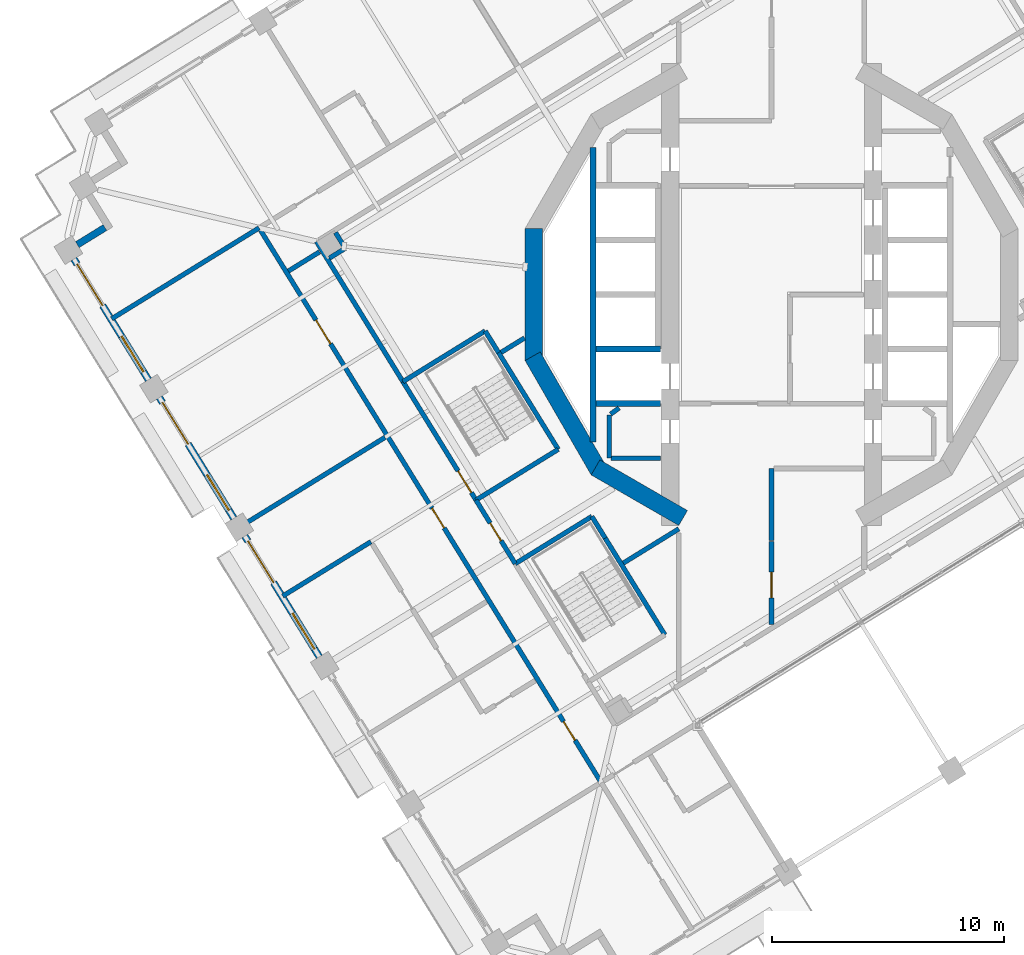
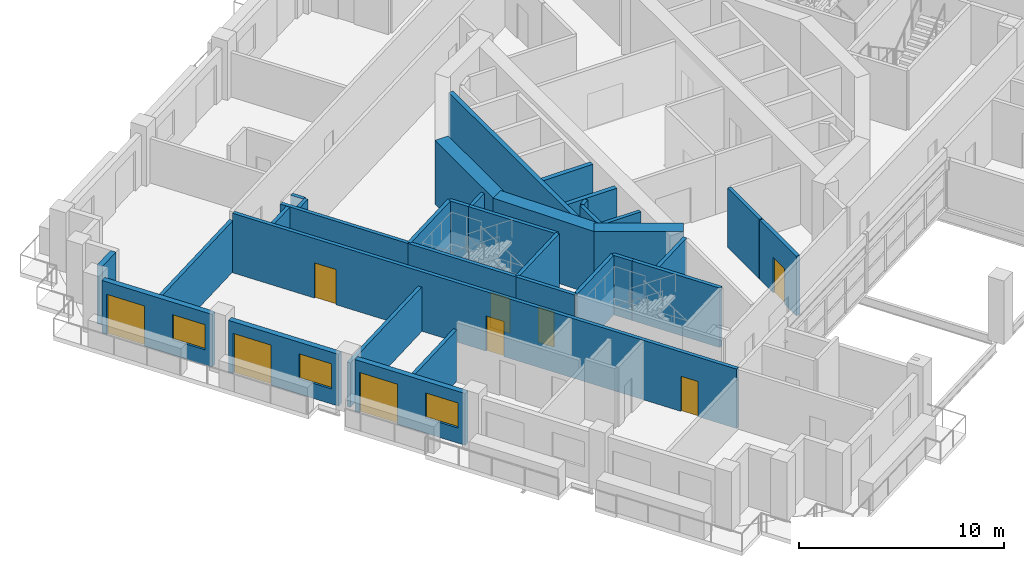
# One storey, part 9 of 22: 34 walls, 9 doors, 3 windows, 12 openings.
"""IFC4 building model written with IfcOpenShell, lengths in metres."""

from ifc_helpers import new_model, si_unit, direction, frame, frame_2d, origin, place, context, subcontext, project, spatial, rectangle, extrude, material, layer, layer_set, type_object, element, fill, save


model = new_model("IFC4")

# Units and contexts
model_context = context("Model", 3, precision=1e-05, world=origin(), true_north=direction((0.0, 1.0)))
body_context = subcontext(model_context, "Body", "Model", "MODEL_VIEW")
ifc_project = project(units=[si_unit("LENGTHUNIT", "METRE"), si_unit("AREAUNIT", "SQUARE_METRE"), si_unit("VOLUMEUNIT", "CUBIC_METRE"), si_unit("PLANEANGLEUNIT", "RADIAN"), si_unit("MASSUNIT", "GRAM", prefix="KILO")], contexts=[model_context])

# Site, building, storey
site_placement = place(None, origin())
site = spatial("IfcSite", under=ifc_project, at=site_placement, CompositionType="ELEMENT")
building_placement = place(site_placement, origin())
building = spatial("IfcBuilding", under=site, at=building_placement, Name="Cantera Rosa Tower", CompositionType="ELEMENT")
storey_placement = place(building_placement, frame((0.0, 0.0, 174.199951171875)))
storey = spatial("IfcBuildingStorey", under=building, at=storey_placement, Name="L38", CompositionType="ELEMENT", Elevation=174.199951171875)

# Wall, openings, doors
ifc_material_1 = material(Name="Gypsum board partition")
ifc_layer_1 = layer(ifc_material_1, 0.199951171875)
ifc_layer_set_1 = layer_set([ifc_layer_1], Name="CORRIDOR WALL 200 H3550")
wall_type_1 = type_object("IfcWallType", Name="CORRIDOR WALL 200 H3550", PredefinedType="PARTITIONING", material=ifc_layer_set_1)
wall_1_placement = place(storey_placement, frame((-22.037109375, 2.77392578125, 0.0), z_axis=(0.0, 0.0, 1.0), x_axis=(0.524973936666, -0.85111830307, 0.0)))
wall_1 = element("IfcWall", 1, at=wall_1_placement, inside=storey, type_object=wall_type_1, Name="CORRIDOR WALL L38-002", PredefinedType="PARTITIONING", context=body_context, shape_type="SweptSolid", body=[
    extrude(rectangle(XDim=27.97998046875, YDim=0.199951171875, at=frame_2d((13.989990234375, 0.0))), origin(), (0.0, 0.0, 1.0), 3.550048828125),
])
opening_1_placement = place(wall_1_placement, frame((4.550048828125, 0.0, 0.0)))
opening_1 = element("IfcOpeningElement", 2, at=opening_1_placement, cuts=wall_1, Name="Opening L38-043", PredefinedType="OPENING", context=body_context, shape_type="SweptSolid", body=[
    extrude(rectangle(XDim=1.199951171875, YDim=2.10009765625, at=frame_2d((0.60009765625, 1.050048828125))), frame((0.0, 0.10986328125, 0.0), z_axis=(0.0, -1.0, 0.0), x_axis=(1.0, 0.0, 0.0)), (0.0, 0.0, 1.0), 0.219970703125),
])
opening_2_placement = place(wall_1_placement, frame((14.0849609375, 0.0, 0.0)))
opening_2 = element("IfcOpeningElement", 3, at=opening_2_placement, cuts=wall_1, Name="Opening L38-044", PredefinedType="OPENING", context=body_context, shape_type="SweptSolid", body=[
    extrude(rectangle(XDim=1.0, YDim=2.10009765625, at=frame_2d((0.5, 1.050048828125))), frame((0.0, 0.10986328125, 0.0), z_axis=(0.0, -1.0, 0.0), x_axis=(1.0, 0.0, 0.0)), (0.0, 0.0, 1.0), 0.219970703125),
])
opening_3_placement = place(wall_1_placement, frame((24.889892578125, 0.0, 0.0)))
opening_3 = element("IfcOpeningElement", 4, at=opening_3_placement, cuts=wall_1, Name="Opening L38-047", PredefinedType="OPENING", context=body_context, shape_type="SweptSolid", body=[
    extrude(rectangle(XDim=0.949951171875, YDim=2.10009765625, at=frame_2d((0.47509765625, 1.050048828125))), frame((0.0, 0.10986328125, 0.0), z_axis=(0.0, -1.0, 0.0), x_axis=(1.0, 0.0, 0.0)), (0.0, 0.0, 1.0), 0.219970703125),
])
ifc_material_2 = material(Name="Timber door leaf", Category="wood")
door_type_1 = type_object("IfcDoorType", Name="ENTRANCE DOOR 1000x2100", OperationType="NOTDEFINED", PredefinedType="DOOR", material=ifc_material_2)
door_1_placement = place(opening_2_placement, origin())
door_1 = element("IfcDoor", 5, at=door_1_placement, inside=storey, type_object=door_type_1, Name="DOOR L38-044", OperationType="NOTDEFINED", OverallHeight=2.10009765625, OverallWidth=1.0, PredefinedType="DOOR", context=body_context, shape_type="SweptSolid", body=[
    extrude(rectangle(XDim=1.0, YDim=2.10009765625, at=frame_2d((0.5, 1.050048828125))), frame((0.0, 0.02490234375, 0.0), z_axis=(0.0, -1.0, 0.0), x_axis=(1.0, 0.0, 0.0)), (0.0, 0.0, 1.0), 0.050048828125),
])
fill(opening_2, door_1)
ifc_material_3 = material(Name="Timber door leaf", Category="wood")
door_type_2 = type_object("IfcDoorType", Name="ROOM DOOR 1200x2100", OperationType="NOTDEFINED", PredefinedType="DOOR", material=ifc_material_3)
door_2_placement = place(opening_1_placement, origin())
door_2 = element("IfcDoor", 6, at=door_2_placement, inside=storey, type_object=door_type_2, Name="DOOR L38-043", OperationType="NOTDEFINED", OverallHeight=2.10009765625, OverallWidth=1.199951171875, PredefinedType="DOOR", context=body_context, shape_type="SweptSolid", body=[
    extrude(rectangle(XDim=1.199951171875, YDim=2.10009765625, at=frame_2d((0.60009765625, 1.050048828125))), frame((0.0, 0.02490234375, 0.0), z_axis=(0.0, -1.0, 0.0), x_axis=(1.0, 0.0, 0.0)), (0.0, 0.0, 1.0), 0.050048828125),
])
fill(opening_1, door_2)
ifc_material_4 = material(Name="Timber door leaf", Category="wood")
door_type_3 = type_object("IfcDoorType", Name="ROOM DOOR 950x2100", OperationType="NOTDEFINED", PredefinedType="DOOR", material=ifc_material_4)
door_3_placement = place(opening_3_placement, origin())
door_3 = element("IfcDoor", 7, at=door_3_placement, inside=storey, type_object=door_type_3, Name="DOOR L38-047", OperationType="NOTDEFINED", OverallHeight=2.10009765625, OverallWidth=0.949951171875, PredefinedType="DOOR", context=body_context, shape_type="SweptSolid", body=[
    extrude(rectangle(XDim=0.949951171875, YDim=2.10009765625, at=frame_2d((0.47509765625, 1.050048828125))), frame((0.0, 0.02490234375, 0.0), z_axis=(0.0, -1.0, 0.0), x_axis=(1.0, 0.0, 0.0)), (0.0, 0.0, 1.0), 0.050048828125),
])
fill(opening_3, door_3)

# Walls
wall_2_placement = place(storey_placement, frame((-20.8349609375, 1.015380859375, 0.0), z_axis=(0.0, 0.0, 1.0), x_axis=(0.851143253059, 0.52493348414, 0.0)))
element("IfcWall", 8, at=wall_2_placement, inside=storey, type_object=wall_type_1, Name="CORRIDOR WALL L38-004", PredefinedType="PARTITIONING", context=body_context, shape_type="SweptSolid", body=[
    extrude(rectangle(XDim=1.579833984375, YDim=0.199951171875, at=frame_2d((0.7900390625, 0.0))), origin(), (0.0, 0.0, 1.0), 3.550048828125),
])
wall_3_placement = place(storey_placement, frame((-19.623291015625, 2.2890625, 0.0), z_axis=(0.0, 0.0, 1.0), x_axis=(0.524973806956, -0.851118383076, 0.0)))
element("IfcWall", 9, at=wall_3_placement, inside=storey, type_object=wall_type_1, Name="CORRIDOR WALL L38-005", PredefinedType="PARTITIONING", context=body_context, shape_type="SweptSolid", body=[
    extrude(rectangle(XDim=7.100830078125, YDim=0.199951171875, at=frame_2d((3.55029296875, 0.0))), origin(), (0.0, 0.0, 1.0), 3.550048828125),
])

# Wall, opening, door
wall_4_placement = place(storey_placement, frame((-12.74560546875, -8.861328125, 0.0), z_axis=(0.0, 0.0, 1.0), x_axis=(0.524959112102, -0.851127446756, 0.0)))
wall_4 = element("IfcWall", 10, at=wall_4_placement, inside=storey, type_object=wall_type_1, Name="CORRIDOR WALL L38-016", PredefinedType="PARTITIONING", context=body_context, shape_type="SweptSolid", body=[
    extrude(rectangle(XDim=3.223876953125, YDim=0.199951171875, at=frame_2d((1.61181640625, 0.0))), origin(), (0.0, 0.0, 1.0), 3.550048828125),
])
opening_4_placement = place(wall_4_placement, frame((1.161865234375, 0.0, 0.0)))
opening_4 = element("IfcOpeningElement", 11, at=opening_4_placement, cuts=wall_4, Name="Opening L38-007", PredefinedType="OPENING", context=body_context, shape_type="SweptSolid", body=[
    extrude(rectangle(XDim=0.89990234375, YDim=2.10009765625, at=frame_2d((0.449951171875, 1.050048828125))), frame((0.0, 0.10986328125, 0.0), z_axis=(0.0, -1.0, 0.0), x_axis=(1.0, 0.0, 0.0)), (0.0, 0.0, 1.0), 0.219970703125),
])
ifc_material_5 = material(Name="Timber door leaf", Category="wood")
door_type_4 = type_object("IfcDoorType", Name="SERVICE DOOR 900x2100", OperationType="NOTDEFINED", PredefinedType="DOOR", material=ifc_material_5)
door_4_placement = place(opening_4_placement, origin())
door_4 = element("IfcDoor", 12, at=door_4_placement, inside=storey, type_object=door_type_4, Name="DOOR L38-007", OperationType="NOTDEFINED", OverallHeight=2.10009765625, OverallWidth=0.89990234375, PredefinedType="DOOR", context=body_context, shape_type="SweptSolid", body=[
    extrude(rectangle(XDim=0.89990234375, YDim=2.10009765625, at=frame_2d((0.449951171875, 1.050048828125))), frame((0.0, 0.02490234375, 0.0), z_axis=(0.0, -1.0, 0.0), x_axis=(1.0, 0.0, 0.0)), (0.0, 0.0, 1.0), 0.050048828125),
])
fill(opening_4, door_4)

wall_5_placement = place(storey_placement, frame((0.0, -10.6552734375, 0.0), z_axis=(0.0, 0.0, 1.0), x_axis=(0.0, -1.0, 0.0)))
wall_5 = element("IfcWall", 13, at=wall_5_placement, inside=storey, type_object=wall_type_1, Name="CORRIDOR WALL L38-062", PredefinedType="PARTITIONING", context=body_context, shape_type="SweptSolid", body=[
    extrude(rectangle(XDim=3.57763671875, YDim=0.199951171875, at=frame_2d((1.788818359375, 0.0))), origin(), (0.0, 0.0, 1.0), 3.550048828125),
])
opening_5_placement = place(wall_5_placement, frame((1.31884765625, 0.0, 0.0)))
opening_5 = element("IfcOpeningElement", 14, at=opening_5_placement, cuts=wall_5, Name="Opening L38-017", PredefinedType="OPENING", context=body_context, shape_type="SweptSolid", body=[
    extrude(rectangle(XDim=1.10009765625, YDim=2.10009765625, at=frame_2d((0.550048828125, 1.050048828125))), frame((0.0, 0.10986328125, 0.0), z_axis=(0.0, -1.0, 0.0), x_axis=(1.0, 0.0, 0.0)), (0.0, 0.0, 1.0), 0.219970703125),
])
ifc_material_6 = material(Name="Timber door leaf", Category="wood")
door_type_5 = type_object("IfcDoorType", Name="ROOM DOOR 1100x2100", OperationType="NOTDEFINED", PredefinedType="DOOR", material=ifc_material_6)
door_5_placement = place(opening_5_placement, origin())
door_5 = element("IfcDoor", 15, at=door_5_placement, inside=storey, type_object=door_type_5, Name="DOOR L38-017", OperationType="NOTDEFINED", OverallHeight=2.10009765625, OverallWidth=1.10009765625, PredefinedType="DOOR", context=body_context, shape_type="SweptSolid", body=[
    extrude(rectangle(XDim=1.10009765625, YDim=2.10009765625, at=frame_2d((0.550048828125, 1.050048828125))), frame((0.0, 0.02490234375, 0.0), z_axis=(0.0, -1.0, 0.0), x_axis=(1.0, 0.0, 0.0)), (0.0, 0.0, 1.0), 0.050048828125),
])
fill(opening_5, door_5)

# Walls
wall_6_placement = place(storey_placement, frame((0.0, -7.5, 0.0), z_axis=(0.0, 0.0, 1.0), x_axis=(0.0, -1.0, 0.0)))
element("IfcWall", 16, at=wall_6_placement, inside=storey, type_object=wall_type_1, Name="CORRIDOR WALL L38-063", PredefinedType="PARTITIONING", context=body_context, shape_type="SweptSolid", body=[
    extrude(rectangle(XDim=3.09521484375, YDim=0.199951171875, at=frame_2d((1.547607421875, 0.0))), origin(), (0.0, 0.0, 1.0), 3.550048828125),
])
ifc_material_7 = material(Name="Hollow clay masonry with cantera stone cladding", Category="masonry")
ifc_layer_2 = layer(ifc_material_7, 0.300048828125)
ifc_layer_set_2 = layer_set([ifc_layer_2], Name="EW-LOGGIA 300")
wall_type_2 = type_object("IfcWallType", Name="EW-LOGGIA 300", PredefinedType="SOLIDWALL", material=ifc_layer_set_2)
wall_7_placement = place(storey_placement, frame((-28.74658203125, 2.888916015625, 0.0), z_axis=(0.0, 0.0, 1.0), x_axis=(-0.851040987269, -0.525099264891, 0.0)))
element("IfcWall", 17, at=wall_7_placement, inside=storey, type_object=wall_type_2, Name="EN-L38-W14b", PredefinedType="SOLIDWALL", context=body_context, shape_type="SweptSolid", body=[
    extrude(rectangle(XDim=1.39990234375, YDim=0.300048828125, at=frame_2d((0.699951171875, 0.0))), origin(), (0.0, 0.0, 1.0), 3.5),
])

# Wall, openings, window, door
ifc_material_8 = material(Name="Hollow clay masonry with cantera stone cladding", Category="masonry")
ifc_layer_3 = layer(ifc_material_8, 0.300048828125)
ifc_layer_set_3 = layer_set([ifc_layer_3], Name="EW-LOGGIA 300 H3090")
wall_type_3 = type_object("IfcWallType", Name="EW-LOGGIA 300 H3090", PredefinedType="SOLIDWALL", material=ifc_layer_set_3)
wall_8_placement = place(storey_placement, frame((-26.3994140625, -4.440185546875, 0.0), z_axis=(0.0, 0.0, 1.0), x_axis=(0.524987447654, -0.851109969279, 0.0)))
wall_8 = element("IfcWall", 18, at=wall_8_placement, inside=storey, type_object=wall_type_3, Name="EN-L38-W16", PredefinedType="SOLIDWALL", context=body_context, shape_type="SweptSolid", body=[
    extrude(rectangle(XDim=6.119873046875, YDim=0.300048828125, at=frame_2d((3.06005859375, 0.0))), origin(), (0.0, 0.0, 1.0), 3.090087890625),
])
opening_6_placement = place(wall_8_placement, frame((0.2548828125, 0.0, 0.0)))
opening_6 = element("IfcOpeningElement", 19, at=opening_6_placement, cuts=wall_8, Name="Opening L38-TD23", PredefinedType="OPENING", context=body_context, shape_type="SweptSolid", body=[
    extrude(rectangle(XDim=2.10009765625, YDim=2.39990234375, at=frame_2d((1.050048828125, 1.199951171875))), frame((0.0, 0.159912109375, 0.0), z_axis=(0.0, -1.0, 0.0), x_axis=(1.0, 0.0, 0.0)), (0.0, 0.0, 1.0), 0.320068359375),
])
opening_7_placement = place(wall_8_placement, frame((3.9150390625, 0.0, 0.89990234375)))
opening_7 = element("IfcOpeningElement", 20, at=opening_7_placement, cuts=wall_8, Name="Opening L38-W24", PredefinedType="OPENING", context=body_context, shape_type="SweptSolid", body=[
    extrude(rectangle(XDim=1.800048828125, YDim=1.5, at=frame_2d((0.89990234375, 0.75))), frame((0.0, 0.159912109375, 0.0), z_axis=(0.0, -1.0, 0.0), x_axis=(1.0, 0.0, 0.0)), (0.0, 0.0, 1.0), 0.320068359375),
])
ifc_material_9 = material(Name="Aluminium frame with clear glass", Category="aluminium")
window_type = type_object("IfcWindowType", Name="Hotel room window 1800x1500", PartitioningType="DOUBLE_PANEL_VERTICAL", PredefinedType="WINDOW", material=ifc_material_9)
window_1_placement = place(opening_7_placement, origin())
window_1 = element("IfcWindow", 21, at=window_1_placement, inside=storey, type_object=window_type, Name="WINDOW L38-W24", OverallHeight=1.5, OverallWidth=1.800048828125, PartitioningType="SINGLE_PANEL", PredefinedType="WINDOW", context=body_context, shape_type="SweptSolid", body=[
    extrude(rectangle(XDim=1.800048828125, YDim=1.5, at=frame_2d((0.89990234375, 0.75))), frame((0.0, 0.030029296875, 0.0), z_axis=(0.0, -1.0, 0.0), x_axis=(1.0, 0.0, 0.0)), (0.0, 0.0, 1.0), 0.06005859375),
])
fill(opening_7, window_1)
ifc_material_10 = material(Name="Aluminium frame with clear glass", Category="aluminium")
door_type_6 = type_object("IfcDoorType", Name="TD-H 2100x2400", OperationType="NOTDEFINED", PredefinedType="DOOR", material=ifc_material_10)
door_6_placement = place(opening_6_placement, origin())
door_6 = element("IfcDoor", 22, at=door_6_placement, inside=storey, type_object=door_type_6, Name="LOGGIA DOOR L38-TD23", OperationType="SLIDING_TO_LEFT", OverallHeight=2.39990234375, OverallWidth=2.10009765625, PredefinedType="DOOR", context=body_context, shape_type="SweptSolid", body=[
    extrude(rectangle(XDim=2.10009765625, YDim=2.39990234375, at=frame_2d((1.050048828125, 1.199951171875))), frame((0.0, 0.02490234375, 0.0), z_axis=(0.0, -1.0, 0.0), x_axis=(1.0, 0.0, 0.0)), (0.0, 0.0, 1.0), 0.050048828125),
])
fill(opening_6, door_6)

wall_9_placement = place(storey_placement, frame((-22.714111328125, -10.4150390625, 0.0), z_axis=(0.0, 0.0, 1.0), x_axis=(0.524987447654, -0.851109969279, 0.0)))
wall_9 = element("IfcWall", 23, at=wall_9_placement, inside=storey, type_object=wall_type_3, Name="EN-L38-W17", PredefinedType="SOLIDWALL", context=body_context, shape_type="SweptSolid", body=[
    extrude(rectangle(XDim=6.119873046875, YDim=0.300048828125, at=frame_2d((3.06005859375, 0.0))), origin(), (0.0, 0.0, 1.0), 3.090087890625),
])
opening_8_placement = place(wall_9_placement, frame((0.2548828125, 0.0, 0.0)))
opening_8 = element("IfcOpeningElement", 24, at=opening_8_placement, cuts=wall_9, Name="Opening L38-TD25", PredefinedType="OPENING", context=body_context, shape_type="SweptSolid", body=[
    extrude(rectangle(XDim=2.10009765625, YDim=2.39990234375, at=frame_2d((1.050048828125, 1.199951171875))), frame((0.0, 0.159912109375, 0.0), z_axis=(0.0, -1.0, 0.0), x_axis=(1.0, 0.0, 0.0)), (0.0, 0.0, 1.0), 0.320068359375),
])
opening_9_placement = place(wall_9_placement, frame((3.9150390625, 0.0, 0.89990234375)))
opening_9 = element("IfcOpeningElement", 25, at=opening_9_placement, cuts=wall_9, Name="Opening L38-W26", PredefinedType="OPENING", context=body_context, shape_type="SweptSolid", body=[
    extrude(rectangle(XDim=1.800048828125, YDim=1.5, at=frame_2d((0.89990234375, 0.75))), frame((0.0, 0.159912109375, 0.0), z_axis=(0.0, -1.0, 0.0), x_axis=(1.0, 0.0, 0.0)), (0.0, 0.0, 1.0), 0.320068359375),
])
window_2_placement = place(opening_9_placement, origin())
window_2 = element("IfcWindow", 26, at=window_2_placement, inside=storey, type_object=window_type, Name="WINDOW L38-W26", OverallHeight=1.5, OverallWidth=1.800048828125, PartitioningType="SINGLE_PANEL", PredefinedType="WINDOW", context=body_context, shape_type="SweptSolid", body=[
    extrude(rectangle(XDim=1.800048828125, YDim=1.5, at=frame_2d((0.89990234375, 0.75))), frame((0.0, 0.030029296875, 0.0), z_axis=(0.0, -1.0, 0.0), x_axis=(1.0, 0.0, 0.0)), (0.0, 0.0, 1.0), 0.06005859375),
])
fill(opening_9, window_2)
door_7_placement = place(opening_8_placement, origin())
door_7 = element("IfcDoor", 27, at=door_7_placement, inside=storey, type_object=door_type_6, Name="LOGGIA DOOR L38-TD25", OperationType="SLIDING_TO_LEFT", OverallHeight=2.39990234375, OverallWidth=2.10009765625, PredefinedType="DOOR", context=body_context, shape_type="SweptSolid", body=[
    extrude(rectangle(XDim=2.10009765625, YDim=2.39990234375, at=frame_2d((1.050048828125, 1.199951171875))), frame((0.0, 0.02490234375, 0.0), z_axis=(0.0, -1.0, 0.0), x_axis=(1.0, 0.0, 0.0)), (0.0, 0.0, 1.0), 0.050048828125),
])
fill(opening_8, door_7)

ifc_material_11 = material(Name="Hollow clay masonry with cantera stone cladding", Category="masonry")
ifc_layer_4 = layer(ifc_material_11, 0.300048828125)
ifc_layer_set_4 = layer_set([ifc_layer_4], Name="EW-LOGGIA 300 H3140")
wall_type_4 = type_object("IfcWallType", Name="EW-LOGGIA 300 H3140", PredefinedType="SOLIDWALL", material=ifc_layer_set_4)
wall_10_placement = place(storey_placement, frame((-30.084716796875, 1.53466796875, 0.0), z_axis=(0.0, 0.0, 1.0), x_axis=(0.524987447654, -0.851109969279, 0.0)))
wall_10 = element("IfcWall", 28, at=wall_10_placement, inside=storey, type_object=wall_type_4, Name="EN-L38-W15", PredefinedType="SOLIDWALL", context=body_context, shape_type="SweptSolid", body=[
    extrude(rectangle(XDim=6.119873046875, YDim=0.300048828125, at=frame_2d((3.06005859375, 0.0))), origin(), (0.0, 0.0, 1.0), 3.14013671875),
])
opening_10_placement = place(wall_10_placement, frame((0.2548828125, 0.0, 0.0)))
opening_10 = element("IfcOpeningElement", 29, at=opening_10_placement, cuts=wall_10, Name="Opening L38-TD21", PredefinedType="OPENING", context=body_context, shape_type="SweptSolid", body=[
    extrude(rectangle(XDim=2.10009765625, YDim=2.39990234375, at=frame_2d((1.050048828125, 1.199951171875))), frame((0.0, 0.159912109375, 0.0), z_axis=(0.0, -1.0, 0.0), x_axis=(1.0, 0.0, 0.0)), (0.0, 0.0, 1.0), 0.320068359375),
])
opening_11_placement = place(wall_10_placement, frame((3.9150390625, 0.0, 0.89990234375)))
opening_11 = element("IfcOpeningElement", 30, at=opening_11_placement, cuts=wall_10, Name="Opening L38-W22", PredefinedType="OPENING", context=body_context, shape_type="SweptSolid", body=[
    extrude(rectangle(XDim=1.800048828125, YDim=1.5, at=frame_2d((0.89990234375, 0.75))), frame((0.0, 0.159912109375, 0.0), z_axis=(0.0, -1.0, 0.0), x_axis=(1.0, 0.0, 0.0)), (0.0, 0.0, 1.0), 0.320068359375),
])
window_3_placement = place(opening_11_placement, origin())
window_3 = element("IfcWindow", 31, at=window_3_placement, inside=storey, type_object=window_type, Name="WINDOW L38-W22", OverallHeight=1.5, OverallWidth=1.800048828125, PartitioningType="SINGLE_PANEL", PredefinedType="WINDOW", context=body_context, shape_type="SweptSolid", body=[
    extrude(rectangle(XDim=1.800048828125, YDim=1.5, at=frame_2d((0.89990234375, 0.75))), frame((0.0, 0.030029296875, 0.0), z_axis=(0.0, -1.0, 0.0), x_axis=(1.0, 0.0, 0.0)), (0.0, 0.0, 1.0), 0.06005859375),
])
fill(opening_11, window_3)
door_8_placement = place(opening_10_placement, origin())
door_8 = element("IfcDoor", 32, at=door_8_placement, inside=storey, type_object=door_type_6, Name="LOGGIA DOOR L38-TD21", OperationType="SLIDING_TO_LEFT", OverallHeight=2.39990234375, OverallWidth=2.10009765625, PredefinedType="DOOR", context=body_context, shape_type="SweptSolid", body=[
    extrude(rectangle(XDim=2.10009765625, YDim=2.39990234375, at=frame_2d((1.050048828125, 1.199951171875))), frame((0.0, 0.02490234375, 0.0), z_axis=(0.0, -1.0, 0.0), x_axis=(1.0, 0.0, 0.0)), (0.0, 0.0, 1.0), 0.050048828125),
])
fill(opening_10, door_8)

# Walls
ifc_material_12 = material(Name="Gypsum board partition")
ifc_layer_5 = layer(ifc_material_12, 0.199951171875)
ifc_layer_set_5 = layer_set([ifc_layer_5], Name="PARTITION 200 H3050")
wall_type_5 = type_object("IfcWallType", Name="PARTITION 200 H3050", PredefinedType="PARTITIONING", material=ifc_layer_set_5)
wall_11_placement = place(storey_placement, frame((-22.10009765625, 2.876220703125, 0.0), z_axis=(0.0, 0.0, 1.0), x_axis=(-0.85111586596, -0.524977887831, 0.0)))
element("IfcWall", 33, at=wall_11_placement, inside=storey, type_object=wall_type_5, Name="PARTITION L38-001", PredefinedType="PARTITIONING", context=body_context, shape_type="SweptSolid", body=[
    extrude(rectangle(XDim=7.469970703125, YDim=0.199951171875, at=frame_2d((3.73486328125, 0.0))), origin(), (0.0, 0.0, 1.0), 3.050048828125),
])
wall_12_placement = place(storey_placement, frame((-21.082275390625, -13.003662109375, 0.0), z_axis=(0.0, 0.0, 1.0), x_axis=(0.851125318938, 0.524962561963, 0.0)))
element("IfcWall", 34, at=wall_12_placement, inside=storey, type_object=wall_type_5, Name="PARTITION L38-003", PredefinedType="PARTITIONING", context=body_context, shape_type="SweptSolid", body=[
    extrude(rectangle(XDim=4.47021484375, YDim=0.199951171875, at=frame_2d((2.235107421875, 0.0))), origin(), (0.0, 0.0, 1.0), 3.050048828125),
])
ifc_material_13 = material(Name="Gypsum board partition")
ifc_layer_6 = layer(ifc_material_13, 0.199951171875)
ifc_layer_set_6 = layer_set([ifc_layer_6], Name="PARTITION 200 H3550")
wall_type_6 = type_object("IfcWallType", Name="PARTITION 200 H3550", PredefinedType="PARTITIONING", material=ifc_layer_set_6)
wall_13_placement = place(storey_placement, frame((-19.065673828125, 1.575439453125, 0.0), z_axis=(0.0, 0.0, 1.0), x_axis=(0.85101860469, 0.525135539144, 0.0)))
element("IfcWall", 35, at=wall_13_placement, inside=storey, type_object=wall_type_6, Name="PARTITION L38-007", PredefinedType="PARTITIONING", context=body_context, shape_type="SweptSolid", body=[
    extrude(rectangle(XDim=0.800048828125, YDim=0.199951171875, at=frame_2d((0.39990234375, 0.0))), origin(), (0.0, 0.0, 1.0), 3.550048828125),
])
wall_14_placement = place(storey_placement, frame((-18.437255859375, 2.08056640625, 0.0), z_axis=(0.0, 0.0, 1.0), x_axis=(-0.524817119332, 0.851215008829, 0.0)))
element("IfcWall", 36, at=wall_14_placement, inside=storey, type_object=wall_type_6, Name="PARTITION L38-008", PredefinedType="PARTITIONING", context=body_context, shape_type="SweptSolid", body=[
    extrude(rectangle(XDim=0.7001953125, YDim=0.199951171875, at=frame_2d((0.35009765625, 0.0))), origin(), (0.0, 0.0, 1.0), 3.550048828125),
])
wall_15_placement = place(storey_placement, frame((-10.6552734375, -1.87255859375, 0.0), z_axis=(0.0, 0.0, 1.0), x_axis=(-0.851083160227, -0.525030908021, 0.0)))
element("IfcWall", 37, at=wall_15_placement, inside=storey, type_object=wall_type_6, Name="PARTITION L38-023", PredefinedType="PARTITIONING", context=body_context, shape_type="SweptSolid", body=[
    extrude(rectangle(XDim=1.181640625, YDim=0.199951171875, at=frame_2d((0.5908203125, 0.0))), origin(), (0.0, 0.0, 1.0), 3.550048828125),
])
wall_16_placement = place(storey_placement, frame((-7.0, -7.050048828125, 0.0), z_axis=(0.0, 0.0, 1.0), x_axis=(0.0, 1.0, 0.0)))
element("IfcWall", 38, at=wall_16_placement, inside=storey, type_object=wall_type_6, Name="PARTITION L38-038", PredefinedType="PARTITIONING", context=body_context, shape_type="SweptSolid", body=[
    extrude(rectangle(XDim=1.85009765625, YDim=0.199951171875, at=frame_2d((0.925048828125, 0.0))), origin(), (0.0, 0.0, 1.0), 3.550048828125),
])
wall_17_placement = place(storey_placement, frame((-6.935302734375, -5.15283203125, 0.0), z_axis=(0.0, 0.0, 1.0), x_axis=(0.808147744029, 0.58897981614, 0.0)))
element("IfcWall", 39, at=wall_17_placement, inside=storey, type_object=wall_type_6, Name="PARTITION L38-039", PredefinedType="PARTITIONING", context=body_context, shape_type="SweptSolid", body=[
    extrude(rectangle(XDim=0.448974609375, YDim=0.199951171875, at=frame_2d((0.224609375, 0.0))), origin(), (0.0, 0.0, 1.0), 3.550048828125),
])
wall_18_placement = place(storey_placement, frame((-4.780029296875, -7.050048828125, 0.0), z_axis=(0.0, 0.0, 1.0), x_axis=(-1.0, 0.0, 0.0)))
element("IfcWall", 40, at=wall_18_placement, inside=storey, type_object=wall_type_6, Name="PARTITION L38-048", PredefinedType="PARTITIONING", context=body_context, shape_type="SweptSolid", body=[
    extrude(rectangle(XDim=2.139892578125, YDim=0.199951171875, at=frame_2d((1.06982421875, 0.0))), origin(), (0.0, 0.0, 1.0), 3.550048828125),
])
wall_19_placement = place(storey_placement, frame((-4.0, -10.104248046875, 0.0), z_axis=(0.0, 0.0, 1.0), x_axis=(-0.851117804286, -0.524974745323, 0.0)))
element("IfcWall", 41, at=wall_19_placement, inside=storey, type_object=wall_type_6, Name="PARTITION L38-052", PredefinedType="PARTITIONING", context=body_context, shape_type="SweptSolid", body=[
    extrude(rectangle(XDim=2.809326171875, YDim=0.199951171875, at=frame_2d((1.40478515625, 0.0))), origin(), (0.0, 0.0, 1.0), 3.550048828125),
])
ifc_material_14 = material(Name="Gypsum board partition")
ifc_layer_7 = layer(ifc_material_14, 0.199951171875)
ifc_layer_set_7 = layer_set([ifc_layer_7], Name="PARTY WALL 200 H2650")
wall_type_7 = type_object("IfcWallType", Name="PARTY WALL 200 H2650", PredefinedType="PARTITIONING", material=ifc_layer_set_7)
wall_20_placement = place(storey_placement, frame((-16.669189453125, -6.15771484375, 0.0), z_axis=(0.0, 0.0, 1.0), x_axis=(-0.851109277096, -0.52498856982, 0.0)))
element("IfcWall", 42, at=wall_20_placement, inside=storey, type_object=wall_type_7, Name="PARTY WALL L38-012", PredefinedType="PARTITIONING", context=body_context, shape_type="SweptSolid", body=[
    extrude(rectangle(XDim=7.349853515625, YDim=0.199951171875, at=frame_2d((3.6748046875, 0.0))), origin(), (0.0, 0.0, 1.0), 2.650146484375),
])
ifc_material_15 = material(Name="Concrete C60/75", Category="concrete")
ifc_layer_8 = layer(ifc_material_15, 0.75)
ifc_layer_set_8 = layer_set([ifc_layer_8], Name="RC CORE WALL 750 C60/75")
wall_type_8 = type_object("IfcWallType", Name="RC CORE WALL 750 C60/75", PredefinedType="SHEAR", material=ifc_layer_set_8)
wall_21_placement = place(storey_placement, frame((-3.8125, -9.634765625, 0.0), z_axis=(0.0, 0.0, 1.0), x_axis=(-0.866013176292, 0.50002117804, 0.0)))
element("IfcWall", 43, at=wall_21_placement, inside=storey, type_object=wall_type_8, Name="CW-W1 L38", PredefinedType="SHEAR", context=body_context, shape_type="SweptSolid", body=[
    extrude(rectangle(XDim=4.362548828125, YDim=0.75, at=frame_2d((2.18115234375, 0.0))), origin(), (0.0, 0.0, 1.0), 3.800048828125),
])
wall_22_placement = place(storey_placement, frame((-7.453369140625, -7.590576171875, 0.0), z_axis=(0.0, 0.0, 1.0), x_axis=(-0.500021842983, 0.866012792365, 0.0)))
element("IfcWall", 44, at=wall_22_placement, inside=storey, type_object=wall_type_8, Name="CW-W2 L38", PredefinedType="SHEAR", context=body_context, shape_type="SweptSolid", body=[
    extrude(rectangle(XDim=5.694091796875, YDim=0.75, at=frame_2d((2.84716796875, 0.0))), origin(), (0.0, 0.0, 1.0), 3.800048828125),
])
wall_23_placement = place(storey_placement, frame((-10.250244140625, -2.846923828125, 0.0), z_axis=(0.0, 0.0, 1.0), x_axis=(0.0, 1.0, 0.0)))
element("IfcWall", 45, at=wall_23_placement, inside=storey, type_object=wall_type_8, Name="CW-W3 L38", PredefinedType="SHEAR", context=body_context, shape_type="SweptSolid", body=[
    extrude(rectangle(XDim=5.69384765625, YDim=0.75, at=frame_2d((2.846923828125, 0.0))), origin(), (0.0, 0.0, 1.0), 3.800048828125),
])
ifc_material_16 = material(Name="Masonry blockwork", Category="masonry")
ifc_layer_9 = layer(ifc_material_16, 0.25)
ifc_layer_set_9 = layer_set([ifc_layer_9], Name="SHAFT WALL 250 H3550")
wall_type_9 = type_object("IfcWallType", Name="SHAFT WALL 250 H3550", PredefinedType="SOLIDWALL", material=ifc_layer_set_9)
wall_24_placement = place(storey_placement, frame((-7.574951171875, -2.35009765625, 0.0), z_axis=(0.0, 0.0, 1.0), x_axis=(1.0, 0.0, 0.0)))
element("IfcWall", 46, at=wall_24_placement, inside=storey, type_object=wall_type_9, Name="SHAFT WALL L38-029", PredefinedType="SOLIDWALL", context=body_context, shape_type="SweptSolid", body=[
    extrude(rectangle(XDim=2.794921875, YDim=0.25, at=frame_2d((1.3974609375, 0.0))), origin(), (0.0, 0.0, 1.0), 3.550048828125),
])
wall_25_placement = place(storey_placement, frame((-7.699951171875, 6.353515625, 0.0), z_axis=(0.0, 0.0, 1.0), x_axis=(0.0, -1.0, 0.0)))
element("IfcWall", 47, at=wall_25_placement, inside=storey, type_object=wall_type_9, Name="SHAFT WALL L38-033", PredefinedType="SOLIDWALL", context=body_context, shape_type="SweptSolid", body=[
    extrude(rectangle(XDim=12.70703125, YDim=0.25, at=frame_2d((6.353515625, 0.0))), origin(), (0.0, 0.0, 1.0), 3.550048828125),
])
wall_26_placement = place(storey_placement, frame((-4.780029296875, -4.699951171875, 0.0), z_axis=(0.0, 0.0, 1.0), x_axis=(-1.0, 0.0, 0.0)))
element("IfcWall", 48, at=wall_26_placement, inside=storey, type_object=wall_type_9, Name="SHAFT WALL L38-049", PredefinedType="SOLIDWALL", context=body_context, shape_type="SweptSolid", body=[
    extrude(rectangle(XDim=2.794921875, YDim=0.25, at=frame_2d((1.3974609375, 0.0))), origin(), (0.0, 0.0, 1.0), 3.550048828125),
])

# Wall, opening, door
ifc_material_17 = material(Name="Concrete C50/60", Category="concrete")
ifc_layer_10 = layer(ifc_material_17, 0.199951171875)
ifc_layer_set_10 = layer_set([ifc_layer_10], Name="STAIR WALL 200 H3550")
wall_type_10 = type_object("IfcWallType", Name="STAIR WALL 200 H3550", PredefinedType="SOLIDWALL", material=ifc_layer_set_10)
wall_27_placement = place(storey_placement, frame((-15.8955078125, -3.754638671875, 0.0), z_axis=(0.0, 0.0, 1.0), x_axis=(0.524982543144, -0.851112994493, 0.0)))
wall_27 = element("IfcWall", 49, at=wall_27_placement, inside=storey, type_object=wall_type_10, Name="STAIR WALL L38-013", PredefinedType="SOLIDWALL", context=body_context, shape_type="SweptSolid", body=[
    extrude(rectangle(XDim=6.0, YDim=0.199951171875, at=frame_2d((3.0, 0.0))), origin(), (0.0, 0.0, 1.0), 3.550048828125),
])
opening_12_placement = place(wall_27_placement, frame((4.52490234375, 0.0, 0.0)))
opening_12 = element("IfcOpeningElement", 50, at=opening_12_placement, cuts=wall_27, Name="Opening L38-002", PredefinedType="OPENING", context=body_context, shape_type="SweptSolid", body=[
    extrude(rectangle(XDim=1.10009765625, YDim=2.10009765625, at=frame_2d((0.550048828125, 1.050048828125))), frame((0.0, 0.10986328125, 0.0), z_axis=(0.0, -1.0, 0.0), x_axis=(1.0, 0.0, 0.0)), (0.0, 0.0, 1.0), 0.219970703125),
])
ifc_material_18 = material(Name="Steel S355J2 (EN 10025-2)", Category="steel")
door_type_7 = type_object("IfcDoorType", Name="STAIR DOOR 1100x2100", OperationType="NOTDEFINED", PredefinedType="DOOR", material=ifc_material_18)
door_9_placement = place(opening_12_placement, origin())
door_9 = element("IfcDoor", 51, at=door_9_placement, inside=storey, type_object=door_type_7, Name="DOOR L38-002", OperationType="NOTDEFINED", OverallHeight=2.10009765625, OverallWidth=1.10009765625, PredefinedType="DOOR", context=body_context, shape_type="SweptSolid", body=[
    extrude(rectangle(XDim=1.10009765625, YDim=2.10009765625, at=frame_2d((0.550048828125, 1.050048828125))), frame((0.0, 0.02490234375, 0.0), z_axis=(0.0, -1.0, 0.0), x_axis=(1.0, 0.0, 0.0)), (0.0, 0.0, 1.0), 0.050048828125),
])
fill(opening_12, door_9)

# Walls
for number, where, z_axis, x_axis, name in (
    (52, (-12.74560546875, -8.861328125, 0.0), (0.0, 0.0, 1.0), (0.851120688733, 0.524970068871, 0.0), "STAIR WALL L38-017"),
    (53, (-12.349365234375, -1.5673828125, 0.0), (0.0, 0.0, 1.0), (-0.851120688733, -0.524970068871, 0.0), "STAIR WALL L38-019"),
):
    element("IfcWall", number, at=place(storey_placement, frame(where, z_axis=z_axis, x_axis=x_axis)), inside=storey, type_object=wall_type_10, Name=name, PredefinedType="SOLIDWALL", context=body_context, shape_type="SweptSolid", body=[
        extrude(rectangle(XDim=4.16650390625, YDim=0.199951171875, at=frame_2d((2.083251953125, 0.0))), origin(), (0.0, 0.0, 1.0), 3.550048828125),
    ])
wall_28_placement = place(storey_placement, frame((-9.199462890625, -6.674072265625, 0.0), z_axis=(0.0, 0.0, 1.0), x_axis=(-0.524942245614, 0.851137849452, 0.0)))
element("IfcWall", 54, at=wall_28_placement, inside=storey, type_object=wall_type_10, Name="STAIR WALL L38-025", PredefinedType="SOLIDWALL", context=body_context, shape_type="SweptSolid", body=[
    extrude(rectangle(XDim=4.900146484375, YDim=0.199951171875, at=frame_2d((2.4501953125, 0.0))), origin(), (0.0, 0.0, 1.0), 3.550048828125),
])
wall_29_placement = place(storey_placement, frame((-7.749267578125, -9.5673828125, 0.0), z_axis=(0.0, 0.0, 1.0), x_axis=(-0.851124503894, -0.524963883397, 0.0)))
element("IfcWall", 55, at=wall_29_placement, inside=storey, type_object=wall_type_10, Name="STAIR WALL L38-028", PredefinedType="SOLIDWALL", context=body_context, shape_type="SweptSolid", body=[
    extrude(rectangle(XDim=3.8818359375, YDim=0.199951171875, at=frame_2d((1.94091796875, 0.0))), origin(), (0.0, 0.0, 1.0), 3.550048828125),
])
wall_30_placement = place(storey_placement, frame((-4.599365234375, -14.674072265625, 0.0), z_axis=(0.0, 0.0, 1.0), x_axis=(-0.524978338244, 0.85111558814, 0.0)))
element("IfcWall", 56, at=wall_30_placement, inside=storey, type_object=wall_type_10, Name="STAIR WALL L38-051", PredefinedType="SOLIDWALL", context=body_context, shape_type="SweptSolid", body=[
    extrude(rectangle(XDim=4.900146484375, YDim=0.199951171875, at=frame_2d((2.4501953125, 0.0))), origin(), (0.0, 0.0, 1.0), 3.550048828125),
])
for number, where, z_axis, x_axis, name in (
    (57, (-11.771728515625, -2.50341796875, 0.0), (0.0, 0.0, 1.0), (-0.525162052325, 0.851002243709, 0.0), "STAIR WALL L38-025 J"),
    (58, (-7.171875, -10.50341796875, 0.0), (0.0, 0.0, 1.0), (-0.52500127828, 0.851101438023, 0.0), "STAIR WALL L38-051 J"),
):
    element("IfcWall", number, at=place(storey_placement, frame(where, z_axis=z_axis, x_axis=x_axis)), inside=storey, type_object=wall_type_10, Name=name, PredefinedType="SOLIDWALL", context=body_context, shape_type="SweptSolid", body=[
        extrude(rectangle(XDim=1.099853515625, YDim=0.199951171875, at=frame_2d((0.5498046875, 0.0))), origin(), (0.0, 0.0, 1.0), 3.550048828125),
    ])

save(model, "model.ifc")
